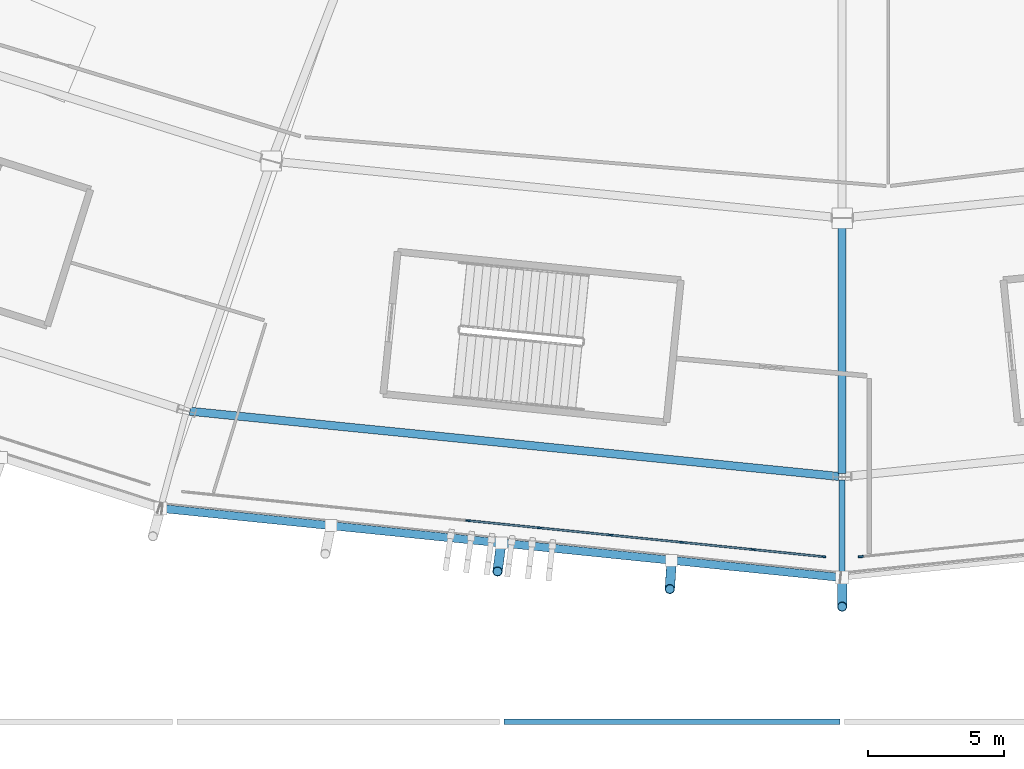
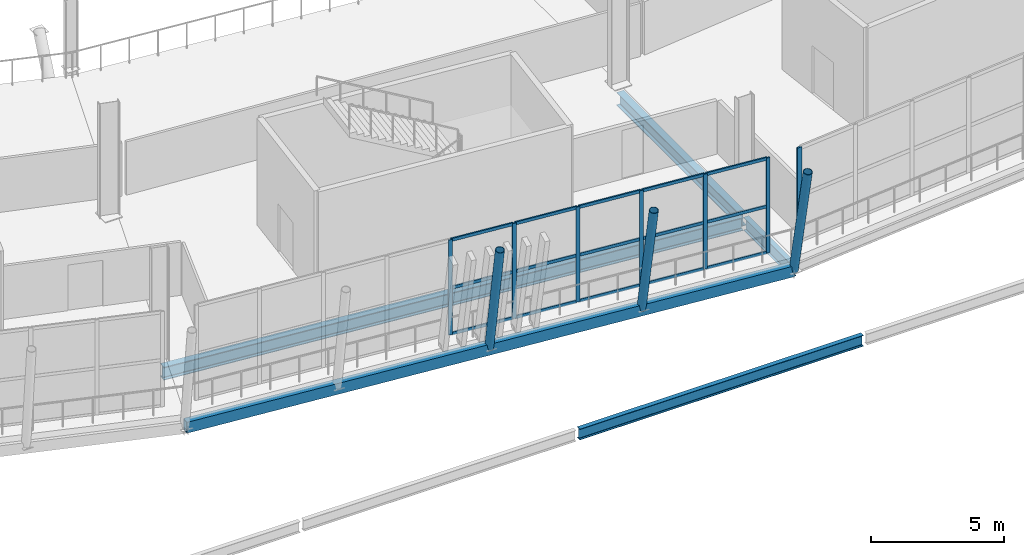
# One storey, part 32 of 168: 25 members, 5 beams, 2 elements without a shape of their own.
"""IFC4 building model written with IfcOpenShell, lengths in metres."""

from ifc_helpers import new_model, si_unit, direction, frame, origin, origin_2d, place, context, subcontext, project, spatial, rectangle, hollow_rectangle, hollow_circle, i_section, extrude, material, material_profile, profile_set, type_object, element, aggregate, save


model = new_model("IFC4")

# Units and contexts
model_context = context("Model", 3, precision=1e-05, world=origin(), true_north=direction((0.0, 1.0)))
body_context = subcontext(model_context, "Body", "Model", "MODEL_VIEW")
ifc_project = project(units=[si_unit("LENGTHUNIT", "METRE"), si_unit("AREAUNIT", "SQUARE_METRE"), si_unit("VOLUMEUNIT", "CUBIC_METRE"), si_unit("PLANEANGLEUNIT", "RADIAN"), si_unit("MASSUNIT", "GRAM", prefix="KILO")], contexts=[model_context])

# Site, building, storey
site_placement = place(None, origin())
site = spatial("IfcSite", under=ifc_project, at=site_placement, CompositionType="ELEMENT")
building_placement = place(site_placement, origin())
building = spatial("IfcBuilding", under=site, at=building_placement, Name="Zlatoyarsky Gate Stadium", CompositionType="ELEMENT")
storey_placement = place(building_placement, frame((0.0, 0.0, 15.60009765625)))
storey = spatial("IfcBuildingStorey", under=building, at=storey_placement, Name="L03", CompositionType="ELEMENT", Elevation=15.60009765625)

# Curtain wall, member
ifc_material_1 = material(Name="Thermally broken anodised aluminium curtain wall", Category="aluminium")
curtain_wall_type_1 = type_object("IfcCurtainWallType", Name="MONUMENTAL ARCHED GATE GLAZING UPPER", PredefinedType="USERDEFINED", material=ifc_material_1)
curtain_wall_1_placement = place(storey_placement, origin())
curtain_wall_1 = element("IfcCurtainWall", 1, at=curtain_wall_1_placement, inside=storey, type_object=curtain_wall_type_1, Name="Curtain wall CW-L03-18", ObjectType="ARCHED GATE GLAZING", PredefinedType="USERDEFINED")
ifc_material_2 = material(Name="Anodised aluminium 6063-T6", Category="aluminium")
ifc_material_profile_1 = material_profile(ifc_material_2, rectangle(XDim=0.074951171875, YDim=0.18994140625, at=origin_2d()), Name="ALU 75X190")
ifc_profile_set_1 = profile_set([ifc_material_profile_1], Name="Anodised aluminium 6063-T6")
member_type_1 = type_object("IfcMemberType", Name="ALUMINIUM GATE MULLION 75X190", PredefinedType="MULLION", material=ifc_profile_set_1)
member_1_placement = place(storey_placement, frame((111.68408203125, 6.067138671875, 0.0), z_axis=(0.0, 0.0, 1.0), x_axis=(-0.100968176403, 0.994889655868, 0.0)))
member_1 = element("IfcMember", 2, at=member_1_placement, type_object=member_type_1, Name="CW-AG2 mullion 1", PredefinedType="MULLION", context=body_context, shape_type="SweptSolid", body=[
    extrude(rectangle(XDim=0.074951171875, YDim=0.18994140625, at=origin_2d()), origin(), (0.0, 0.0, 1.0), 4.3798828125),
])
aggregate(curtain_wall_1, [member_1])

# Curtain wall, members
curtain_wall_type_2 = type_object("IfcCurtainWallType", Name="UNITISED CORPORATE BOX GLAZING L03", PredefinedType="USERDEFINED", material=ifc_material_1)
curtain_wall_2_placement = place(storey_placement, origin())
curtain_wall_2 = element("IfcCurtainWall", 3, at=curtain_wall_2_placement, inside=storey, type_object=curtain_wall_type_2, Name="Curtain wall CW-L03-17", ObjectType="UNITISED GLAZING", PredefinedType="USERDEFINED")
ifc_material_profile_2 = material_profile(ifc_material_2, rectangle(XDim=0.06494140625, YDim=0.159912109375, at=origin_2d()), Name="ALU 65X160")
ifc_profile_set_2 = profile_set([ifc_material_profile_2], Name="Anodised aluminium 6063-T6")
member_type_2 = type_object("IfcMemberType", Name="ALUMINIUM MULLION 65X160", PredefinedType="MULLION", material=ifc_profile_set_2)
member_2_placement = place(storey_placement, frame((97.267822265625, 7.391357421875, 0.0), z_axis=(0.0, 0.0, 1.0), x_axis=(0.100968176403, 0.994889655868, 0.0)))
member_2 = element("IfcMember", 4, at=member_2_placement, type_object=member_type_2, Name="CW-UG3 mullion 5", PredefinedType="MULLION", context=body_context, shape_type="SweptSolid", body=[
    extrude(rectangle(XDim=0.06494140625, YDim=0.159912109375, at=origin_2d()), origin(), (0.0, 0.0, 1.0), 4.3798828125),
])
member_3_placement = place(storey_placement, frame((99.885009765625, 7.125732421875, 0.0), z_axis=(0.0, 0.0, 1.0), x_axis=(0.100968176403, 0.994889655868, 0.0)))
member_3 = element("IfcMember", 5, at=member_3_placement, type_object=member_type_2, Name="CW-UG3 mullion 6", PredefinedType="MULLION", context=body_context, shape_type="SweptSolid", body=[
    extrude(rectangle(XDim=0.06494140625, YDim=0.159912109375, at=origin_2d()), origin(), (0.0, 0.0, 1.0), 4.3798828125),
])
member_4_placement = place(storey_placement, frame((102.501953125, 6.860107421875, 0.0), z_axis=(0.0, 0.0, 1.0), x_axis=(0.100968176403, 0.994889655868, 0.0)))
member_4 = element("IfcMember", 6, at=member_4_placement, type_object=member_type_2, Name="CW-UG3 mullion 7", PredefinedType="MULLION", context=body_context, shape_type="SweptSolid", body=[
    extrude(rectangle(XDim=0.06494140625, YDim=0.159912109375, at=origin_2d()), origin(), (0.0, 0.0, 1.0), 4.3798828125),
])
member_5_placement = place(storey_placement, frame((105.119140625, 6.594482421875, 0.0), z_axis=(0.0, 0.0, 1.0), x_axis=(0.100968176403, 0.994889655868, 0.0)))
member_5 = element("IfcMember", 7, at=member_5_placement, type_object=member_type_2, Name="CW-UG3 mullion 8", PredefinedType="MULLION", context=body_context, shape_type="SweptSolid", body=[
    extrude(rectangle(XDim=0.06494140625, YDim=0.159912109375, at=origin_2d()), origin(), (0.0, 0.0, 1.0), 4.3798828125),
])
member_6_placement = place(storey_placement, frame((107.736328125, 6.3291015625, 0.0), z_axis=(0.0, 0.0, 1.0), x_axis=(0.100968176403, 0.994889655868, 0.0)))
member_6 = element("IfcMember", 8, at=member_6_placement, type_object=member_type_2, Name="CW-UG3 mullion 9", PredefinedType="MULLION", context=body_context, shape_type="SweptSolid", body=[
    extrude(rectangle(XDim=0.06494140625, YDim=0.159912109375, at=origin_2d()), origin(), (0.0, 0.0, 1.0), 4.3798828125),
])
member_7_placement = place(storey_placement, frame((110.321044921875, 6.066650390625, 0.0), z_axis=(0.0, 0.0, 1.0), x_axis=(0.100968176403, 0.994889655868, 0.0)))
member_7 = element("IfcMember", 9, at=member_7_placement, type_object=member_type_2, Name="CW-UG3 mullion 10", PredefinedType="MULLION", context=body_context, shape_type="SweptSolid", body=[
    extrude(rectangle(XDim=0.06494140625, YDim=0.159912109375, at=origin_2d()), origin(), (0.0, 0.0, 1.0), 4.3798828125),
])
ifc_material_profile_3 = material_profile(ifc_material_2, rectangle(XDim=0.06494140625, YDim=0.139892578125, at=origin_2d()), Name="ALU 65X140")
ifc_profile_set_3 = profile_set([ifc_material_profile_3], Name="Anodised aluminium 6063-T6")
member_type_3 = type_object("IfcMemberType", Name="ALUMINIUM TRANSOM 65X140", PredefinedType="USERDEFINED", material=ifc_profile_set_3)
member_8_placement = place(storey_placement, frame((97.30029296875, 7.38818359375, 0.032470703125), z_axis=(0.994889111902, -0.100973536228, 0.0), x_axis=(0.100973536228, 0.994889111902, 0.0)))
member_8 = element("IfcMember", 10, at=member_8_placement, type_object=member_type_3, Name="CW-UG3 transom 5.1", ObjectType="TRANSOM", PredefinedType="USERDEFINED", context=body_context, shape_type="SweptSolid", body=[
    extrude(rectangle(XDim=0.06494140625, YDim=0.139892578125, at=origin_2d()), origin(), (0.0, 0.0, 1.0), 2.5654296875),
])
member_9_placement = place(storey_placement, frame((97.30029296875, 7.38818359375, 2.14990234375), z_axis=(0.994889111902, -0.100973536228, 0.0), x_axis=(0.100973536228, 0.994889111902, 0.0)))
member_9 = element("IfcMember", 11, at=member_9_placement, type_object=member_type_3, Name="CW-UG3 transom 5.2", ObjectType="TRANSOM", PredefinedType="USERDEFINED", context=body_context, shape_type="SweptSolid", body=[
    extrude(rectangle(XDim=0.06494140625, YDim=0.139892578125, at=origin_2d()), origin(), (0.0, 0.0, 1.0), 2.5654296875),
])
member_10_placement = place(storey_placement, frame((97.30029296875, 7.38818359375, 4.347412109375), z_axis=(0.994889111902, -0.100973536228, 0.0), x_axis=(0.100973536228, 0.994889111902, 0.0)))
member_10 = element("IfcMember", 12, at=member_10_placement, type_object=member_type_3, Name="CW-UG3 transom 5.3", ObjectType="TRANSOM", PredefinedType="USERDEFINED", context=body_context, shape_type="SweptSolid", body=[
    extrude(rectangle(XDim=0.06494140625, YDim=0.139892578125, at=origin_2d()), origin(), (0.0, 0.0, 1.0), 2.5654296875),
])
member_11_placement = place(storey_placement, frame((99.917236328125, 7.12255859375, 0.032470703125), z_axis=(0.994890082067, -0.100963976765, 0.0), x_axis=(0.100963976765, 0.994890082067, 0.0)))
member_11 = element("IfcMember", 13, at=member_11_placement, type_object=member_type_3, Name="CW-UG3 transom 6.1", ObjectType="TRANSOM", PredefinedType="USERDEFINED", context=body_context, shape_type="SweptSolid", body=[
    extrude(rectangle(XDim=0.06494140625, YDim=0.139892578125, at=origin_2d()), origin(), (0.0, 0.0, 1.0), 2.565673828125),
])
member_12_placement = place(storey_placement, frame((99.917236328125, 7.12255859375, 2.14990234375), z_axis=(0.994890082067, -0.100963976765, 0.0), x_axis=(0.100963976765, 0.994890082067, 0.0)))
member_12 = element("IfcMember", 14, at=member_12_placement, type_object=member_type_3, Name="CW-UG3 transom 6.2", ObjectType="TRANSOM", PredefinedType="USERDEFINED", context=body_context, shape_type="SweptSolid", body=[
    extrude(rectangle(XDim=0.06494140625, YDim=0.139892578125, at=origin_2d()), origin(), (0.0, 0.0, 1.0), 2.565673828125),
])
member_13_placement = place(storey_placement, frame((99.917236328125, 7.12255859375, 4.347412109375), z_axis=(0.994890082067, -0.100963976765, 0.0), x_axis=(0.100963976765, 0.994890082067, 0.0)))
member_13 = element("IfcMember", 15, at=member_13_placement, type_object=member_type_3, Name="CW-UG3 transom 6.3", ObjectType="TRANSOM", PredefinedType="USERDEFINED", context=body_context, shape_type="SweptSolid", body=[
    extrude(rectangle(XDim=0.06494140625, YDim=0.139892578125, at=origin_2d()), origin(), (0.0, 0.0, 1.0), 2.565673828125),
])
member_14_placement = place(storey_placement, frame((102.534423828125, 6.85693359375, 0.032470703125), z_axis=(0.994889111902, -0.100973536228, 0.0), x_axis=(0.100973536228, 0.994889111902, 0.0)))
member_14 = element("IfcMember", 16, at=member_14_placement, type_object=member_type_3, Name="CW-UG3 transom 7.1", ObjectType="TRANSOM", PredefinedType="USERDEFINED", context=body_context, shape_type="SweptSolid", body=[
    extrude(rectangle(XDim=0.06494140625, YDim=0.139892578125, at=origin_2d()), origin(), (0.0, 0.0, 1.0), 2.5654296875),
])
member_15_placement = place(storey_placement, frame((102.534423828125, 6.85693359375, 2.14990234375), z_axis=(0.994889111902, -0.100973536228, 0.0), x_axis=(0.100973536228, 0.994889111902, 0.0)))
member_15 = element("IfcMember", 17, at=member_15_placement, type_object=member_type_3, Name="CW-UG3 transom 7.2", ObjectType="TRANSOM", PredefinedType="USERDEFINED", context=body_context, shape_type="SweptSolid", body=[
    extrude(rectangle(XDim=0.06494140625, YDim=0.139892578125, at=origin_2d()), origin(), (0.0, 0.0, 1.0), 2.5654296875),
])
member_16_placement = place(storey_placement, frame((102.534423828125, 6.85693359375, 4.347412109375), z_axis=(0.994889111902, -0.100973536228, 0.0), x_axis=(0.100973536228, 0.994889111902, 0.0)))
member_16 = element("IfcMember", 18, at=member_16_placement, type_object=member_type_3, Name="CW-UG3 transom 7.3", ObjectType="TRANSOM", PredefinedType="USERDEFINED", context=body_context, shape_type="SweptSolid", body=[
    extrude(rectangle(XDim=0.06494140625, YDim=0.139892578125, at=origin_2d()), origin(), (0.0, 0.0, 1.0), 2.5654296875),
])
member_17_placement = place(storey_placement, frame((105.1513671875, 6.59130859375, 0.032470703125), z_axis=(0.994890082067, -0.100963976765, 0.0), x_axis=(0.100963976765, 0.994890082067, 0.0)))
member_17 = element("IfcMember", 19, at=member_17_placement, type_object=member_type_3, Name="CW-UG3 transom 8.1", ObjectType="TRANSOM", PredefinedType="USERDEFINED", context=body_context, shape_type="SweptSolid", body=[
    extrude(rectangle(XDim=0.06494140625, YDim=0.139892578125, at=origin_2d()), origin(), (0.0, 0.0, 1.0), 2.565673828125),
])
member_18_placement = place(storey_placement, frame((105.1513671875, 6.59130859375, 2.14990234375), z_axis=(0.994890082067, -0.100963976765, 0.0), x_axis=(0.100963976765, 0.994890082067, 0.0)))
member_18 = element("IfcMember", 20, at=member_18_placement, type_object=member_type_3, Name="CW-UG3 transom 8.2", ObjectType="TRANSOM", PredefinedType="USERDEFINED", context=body_context, shape_type="SweptSolid", body=[
    extrude(rectangle(XDim=0.06494140625, YDim=0.139892578125, at=origin_2d()), origin(), (0.0, 0.0, 1.0), 2.565673828125),
])
member_19_placement = place(storey_placement, frame((105.1513671875, 6.59130859375, 4.347412109375), z_axis=(0.994890082067, -0.100963976765, 0.0), x_axis=(0.100963976765, 0.994890082067, 0.0)))
member_19 = element("IfcMember", 21, at=member_19_placement, type_object=member_type_3, Name="CW-UG3 transom 8.3", ObjectType="TRANSOM", PredefinedType="USERDEFINED", context=body_context, shape_type="SweptSolid", body=[
    extrude(rectangle(XDim=0.06494140625, YDim=0.139892578125, at=origin_2d()), origin(), (0.0, 0.0, 1.0), 2.565673828125),
])
member_20_placement = place(storey_placement, frame((107.7685546875, 6.32568359375, 0.032470703125), z_axis=(0.994894949116, -0.100916005786, 0.0), x_axis=(0.100916005786, 0.994894949116, 0.0)))
member_20 = element("IfcMember", 22, at=member_20_placement, type_object=member_type_3, Name="CW-UG3 transom 9.1", ObjectType="TRANSOM", PredefinedType="USERDEFINED", context=body_context, shape_type="SweptSolid", body=[
    extrude(rectangle(XDim=0.06494140625, YDim=0.139892578125, at=origin_2d()), origin(), (0.0, 0.0, 1.0), 2.532958984375),
])
member_21_placement = place(storey_placement, frame((107.7685546875, 6.32568359375, 2.14990234375), z_axis=(0.994894949116, -0.100916005786, 0.0), x_axis=(0.100916005786, 0.994894949116, 0.0)))
member_21 = element("IfcMember", 23, at=member_21_placement, type_object=member_type_3, Name="CW-UG3 transom 9.2", ObjectType="TRANSOM", PredefinedType="USERDEFINED", context=body_context, shape_type="SweptSolid", body=[
    extrude(rectangle(XDim=0.06494140625, YDim=0.139892578125, at=origin_2d()), origin(), (0.0, 0.0, 1.0), 2.532958984375),
])
member_22_placement = place(storey_placement, frame((107.7685546875, 6.32568359375, 4.347412109375), z_axis=(0.994894949116, -0.100916005786, 0.0), x_axis=(0.100916005786, 0.994894949116, 0.0)))
member_22 = element("IfcMember", 24, at=member_22_placement, type_object=member_type_3, Name="CW-UG3 transom 9.3", ObjectType="TRANSOM", PredefinedType="USERDEFINED", context=body_context, shape_type="SweptSolid", body=[
    extrude(rectangle(XDim=0.06494140625, YDim=0.139892578125, at=origin_2d()), origin(), (0.0, 0.0, 1.0), 2.532958984375),
])
aggregate(curtain_wall_2, [member_2, member_3, member_4, member_5, member_6, member_7, member_8, member_9, member_10, member_11, member_12, member_13, member_14, member_15, member_16, member_17, member_18, member_19, member_20, member_21, member_22])

# Beams
ifc_material_3 = material(Name="Steel S355", Category="steel")
ifc_material_profile_4 = material_profile(ifc_material_3, i_section(OverallWidth=0.219970703125, OverallDepth=0.60009765625, WebThickness=0.011962890625, FlangeThickness=0.01904296875, FilletRadius=0.02392578125, at=origin_2d()), Name="IPE 600")
ifc_profile_set_4 = profile_set([ifc_material_profile_4], Name="Steel S355")
beam_type_1 = type_object("IfcBeamType", Name="STEEL CANTILEVER FLOOR BEAM IPE 600", PredefinedType="BEAM", material=ifc_profile_set_4)
beam_1_placement = place(storey_placement, frame((111.0, 8.8798828125, -0.580078125), z_axis=(0.0, -1.0, 0.0), x_axis=(1.0, 0.0, 0.0)))
element("IfcBeam", 25, at=beam_1_placement, inside=storey, type_object=beam_type_1, Name="Beam B-IPE600 BM-L03-OUT-18", PredefinedType="BEAM", context=body_context, shape_type="SweptSolid", body=[
    extrude(i_section(OverallWidth=0.219970703125, OverallDepth=0.60009765625, WebThickness=0.011962890625, FlangeThickness=0.01904296875, FilletRadius=0.02392578125, at=origin_2d()), origin(), (0.0, 0.0, 1.0), 3.58203125),
])
ifc_material_profile_5 = material_profile(ifc_material_3, i_section(OverallWidth=0.199951171875, OverallDepth=0.5, WebThickness=0.01025390625, FlangeThickness=0.01611328125, FilletRadius=0.02099609375, at=origin_2d()), Name="IPE 500")
ifc_profile_set_5 = profile_set([ifc_material_profile_5], Name="Steel S355")
beam_type_2 = type_object("IfcBeamType", Name="STEEL FLOOR BEAM IPE 500", PredefinedType="BEAM", material=ifc_profile_set_5)
beam_2_placement = place(storey_placement, frame((98.580078125, 0.0, -0.530029296875), z_axis=(1.0, 0.0, 0.0), x_axis=(0.0, 1.0, 0.0)))
element("IfcBeam", 26, at=beam_2_placement, inside=storey, type_object=beam_type_2, Name="Beam B-IPE500 BM-L03-WGX-9-A", PredefinedType="BEAM", context=body_context, shape_type="SweptSolid", body=[
    extrude(i_section(OverallWidth=0.199951171875, OverallDepth=0.5, WebThickness=0.01025390625, FlangeThickness=0.01611328125, FilletRadius=0.02099609375, at=origin_2d()), origin(), (0.0, 0.0, 1.0), 12.33984375),
])

# Members
ifc_material_profile_6 = material_profile(ifc_material_3, hollow_circle(Radius=0.177734375, WallThickness=0.02001953125, at=origin_2d()), Name="CHS 355.6X20")
ifc_profile_set_6 = profile_set([ifc_material_profile_6], Name="Steel S355")
member_type_4 = type_object("IfcMemberType", Name="STEEL LEANING RIB RING STRUT CHS 355.6X20", PredefinedType="STRUT", material=ifc_profile_set_6)
member_23_placement = place(storey_placement, frame((111.0, 5.2978515625, -0.580078125), z_axis=(0.0, -0.201820940285, 0.97942243596), x_axis=(1.0, 0.0, 0.0)))
element("IfcMember", 27, at=member_23_placement, inside=storey, type_object=member_type_4, Name="Leaning ring strut 18 L03 to L04", PredefinedType="STRUT", context=body_context, shape_type="SweptSolid", body=[
    extrude(hollow_circle(Radius=0.177734375, WallThickness=0.02001953125, at=origin_2d()), origin(), (0.0, 0.0, 1.0), 5.288818359375),
])
member_24_placement = place(storey_placement, frame((98.48583984375, 6.570556640625, -0.530029296875), z_axis=(-0.026136726515, -0.198472880854, 0.979757820633), x_axis=(0.991440157166, -0.130561919254, 0.0)))
element("IfcMember", 28, at=member_24_placement, inside=storey, type_object=member_type_4, Name="Outward-leaning bowl louvre fin rib L03 17-2", PredefinedType="STRUT", context=body_context, shape_type="SweptSolid", body=[
    extrude(hollow_circle(Radius=0.177734375, WallThickness=0.02001953125, at=origin_2d()), origin(), (0.0, 0.0, 1.0), 5.286865234375),
])
member_25_placement = place(storey_placement, frame((104.742919921875, 5.93408203125, -0.530029296875), z_axis=(-0.013067260504, -0.200164573441, 0.979675145261), x_axis=(0.99787587919, -0.065143915527, 0.0)))
element("IfcMember", 29, at=member_25_placement, inside=storey, type_object=member_type_4, Name="Outward-leaning bowl louvre fin rib L03 17-3", PredefinedType="STRUT", context=body_context, shape_type="SweptSolid", body=[
    extrude(hollow_circle(Radius=0.177734375, WallThickness=0.02001953125, at=origin_2d()), origin(), (0.0, 0.0, 1.0), 5.287353515625),
])

# Beams
ifc_material_profile_7 = material_profile(ifc_material_3, hollow_rectangle(XDim=0.300048828125, YDim=0.5, WallThickness=0.02001953125, at=origin_2d()), Name="RHS 500X300X20")
ifc_profile_set_7 = profile_set([ifc_material_profile_7], Name="Steel S355")
beam_type_3 = type_object("IfcBeamType", Name="STEEL LOUVRE CARRIER SPANDREL RHS 500X300X20", PredefinedType="SPANDREL", material=ifc_profile_set_7)
beam_3_placement = place(storey_placement, frame((85.991455078125, 7.84130859375, -0.530029296875), z_axis=(0.994867643299, -0.101184842327, 0.0), x_axis=(0.101184842327, 0.994867643299, 0.0)))
element("IfcBeam", 30, at=beam_3_placement, inside=storey, type_object=beam_type_3, Name="Beam SP-RHS500 BM-L03-SPD-17", PredefinedType="SPANDREL", context=body_context, shape_type="SweptSolid", body=[
    extrude(hollow_rectangle(XDim=0.300048828125, YDim=0.5, WallThickness=0.02001953125, at=origin_2d()), origin(), (0.0, 0.0, 1.0), 25.117431640625),
])
ifc_material_profile_8 = material_profile(ifc_material_3, i_section(OverallWidth=0.300048828125, OverallDepth=0.60009765625, WebThickness=0.015380859375, FlangeThickness=0.030029296875, FilletRadius=0.027099609375, at=origin_2d()), Name="HEB 600")
ifc_profile_set_8 = profile_set([ifc_material_profile_8], Name="Steel S355")
beam_type_4 = type_object("IfcBeamType", Name="STEEL PRIMARY GIRDER HEB 600", PredefinedType="BEAM", material=ifc_profile_set_8)
beam_4_placement = place(storey_placement, frame((87.04931640625, 11.4072265625, -0.580078125), z_axis=(0.994986905268, -0.100005291586, 0.0), x_axis=(0.100005291586, 0.994986905268, 0.0)))
element("IfcBeam", 31, at=beam_4_placement, inside=storey, type_object=beam_type_4, Name="Beam G-HEB600 BM-L03-CRC-17", PredefinedType="BEAM", context=body_context, shape_type="SweptSolid", body=[
    extrude(i_section(OverallWidth=0.300048828125, OverallDepth=0.60009765625, WebThickness=0.015380859375, FlangeThickness=0.030029296875, FilletRadius=0.027099609375, at=origin_2d()), origin(), (0.0, 0.0, 1.0), 23.951416015625),
])
beam_5_placement = place(storey_placement, frame((111.0, 18.3798828125, -0.580078125), z_axis=(0.0, -1.0, 0.0), x_axis=(1.0, 0.0, 0.0)))
element("IfcBeam", 32, at=beam_5_placement, inside=storey, type_object=beam_type_4, Name="Beam G-HEB600 BM-L03-RBC-18", PredefinedType="BEAM", context=body_context, shape_type="SweptSolid", body=[
    extrude(i_section(OverallWidth=0.300048828125, OverallDepth=0.60009765625, WebThickness=0.015380859375, FlangeThickness=0.030029296875, FilletRadius=0.027099609375, at=origin_2d()), origin(), (0.0, 0.0, 1.0), 9.259765625),
])

save(model, "model.ifc")
